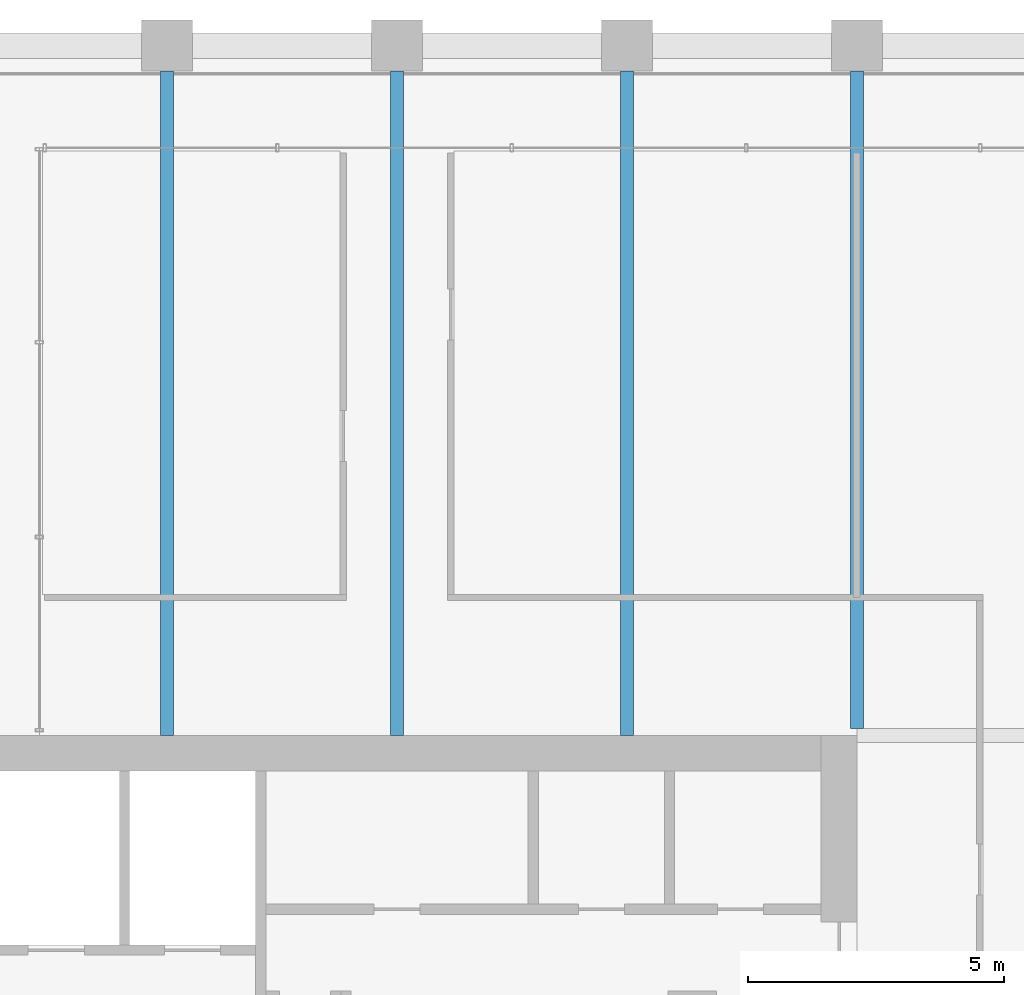
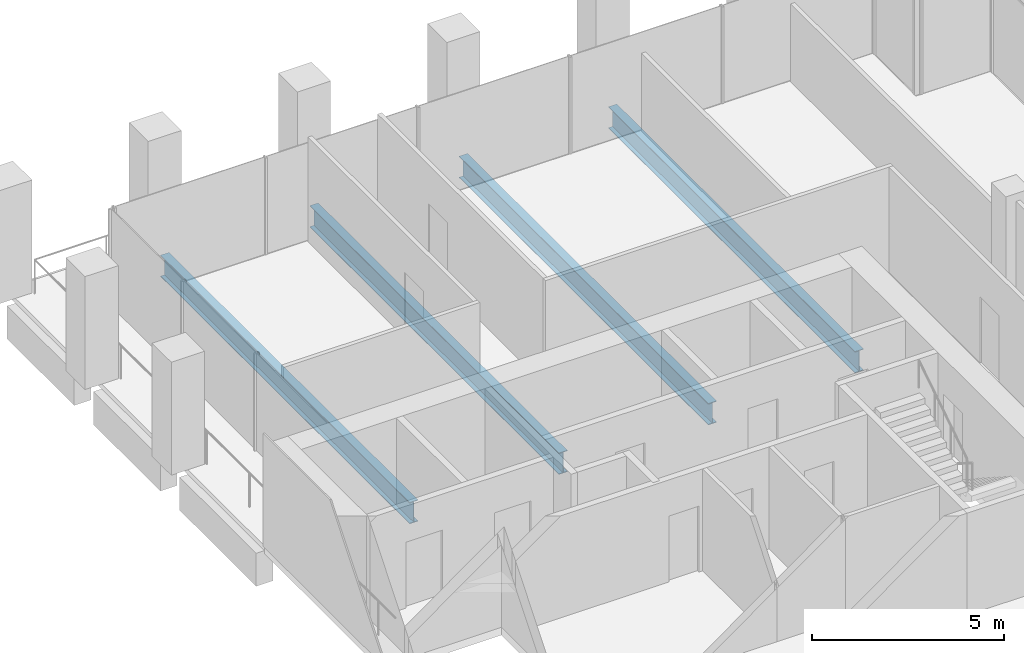
# One storey, part 22 of 45: 4 beams.
"""IFC4 building model written with IfcOpenShell, lengths in metres."""

from ifc_helpers import new_model, si_unit, direction, frame, origin, origin_2d, place, context, subcontext, project, spatial, i_section, extrude, material, material_profile, profile_set, type_object, element, save


model = new_model("IFC4")

# Units and contexts
model_context = context("Model", 3, precision=1e-05, world=origin(), true_north=direction((0.0, 1.0)))
body_context = subcontext(model_context, "Body", "Model", "MODEL_VIEW")
ifc_project = project(units=[si_unit("LENGTHUNIT", "METRE"), si_unit("AREAUNIT", "SQUARE_METRE"), si_unit("VOLUMEUNIT", "CUBIC_METRE"), si_unit("PLANEANGLEUNIT", "RADIAN"), si_unit("MASSUNIT", "GRAM", prefix="KILO")], contexts=[model_context])

# Site, building, storey
site_placement = place(None, origin())
site = spatial("IfcSite", under=ifc_project, at=site_placement, CompositionType="ELEMENT")
building_placement = place(site_placement, origin())
building = spatial("IfcBuilding", under=site, at=building_placement, Name="Altepetl Exchange Towers", CompositionType="ELEMENT")
storey_placement = place(building_placement, frame((0.0, 0.0, 110.0)))
storey = spatial("IfcBuildingStorey", under=building, at=storey_placement, Name="L27", CompositionType="ELEMENT", Elevation=110.0)

# Beams
ifc_material = material(Name="Steel S355", Category="steel")
ifc_material_profile = material_profile(ifc_material, i_section(OverallWidth=0.25390625, OverallDepth=0.68408203125, WebThickness=0.012451171875, FlangeThickness=0.018798828125, at=origin_2d()), Name="W27X94")
ifc_profile_set = profile_set([ifc_material_profile], Name="Steel S355")
beam_type = type_object("IfcBeamType", Name="Floor beam W27X94", PredefinedType="BEAM", material=ifc_profile_set)
for number, where, z_axis, x_axis, name in (
    (1, (45.0, 58.5, -0.491943359375), (0.0, 1.0, 0.0), (-1.0, 0.0, 0.0), "bm:A:L27:000"),
    (2, (49.5, 58.5, -0.491943359375), (0.0, 1.0, 0.0), (-1.0, 0.0, 0.0), "bm:A:L27:001"),
    (3, (54.0, 58.5, -0.491943359375), (0.0, 1.0, 0.0), (-1.0, 0.0, 0.0), "bm:A:L27:002"),
):
    element("IfcBeam", number, at=place(storey_placement, frame(where, z_axis=z_axis, x_axis=x_axis)), inside=storey, type_object=beam_type, Name=name, PredefinedType="BEAM", context=body_context, shape_type="SweptSolid", body=[
        extrude(i_section(OverallWidth=0.25390625, OverallDepth=0.68408203125, WebThickness=0.012451171875, FlangeThickness=0.018798828125, at=origin_2d()), origin(), (0.0, 0.0, 1.0), 13.0),
    ])
beam_placement = place(storey_placement, frame((58.5, 58.634033203125, -0.491943359375), z_axis=(0.0, 1.0, 0.0), x_axis=(-1.0, 0.0, 0.0)))
element("IfcBeam", 4, at=beam_placement, inside=storey, type_object=beam_type, Name="bm:A:L27:003", PredefinedType="BEAM", context=body_context, shape_type="SweptSolid", body=[
    extrude(i_section(OverallWidth=0.25390625, OverallDepth=0.68408203125, WebThickness=0.012451171875, FlangeThickness=0.018798828125, at=origin_2d()), origin(), (0.0, 0.0, 1.0), 12.865966796875),
])

save(model, "model.ifc")
